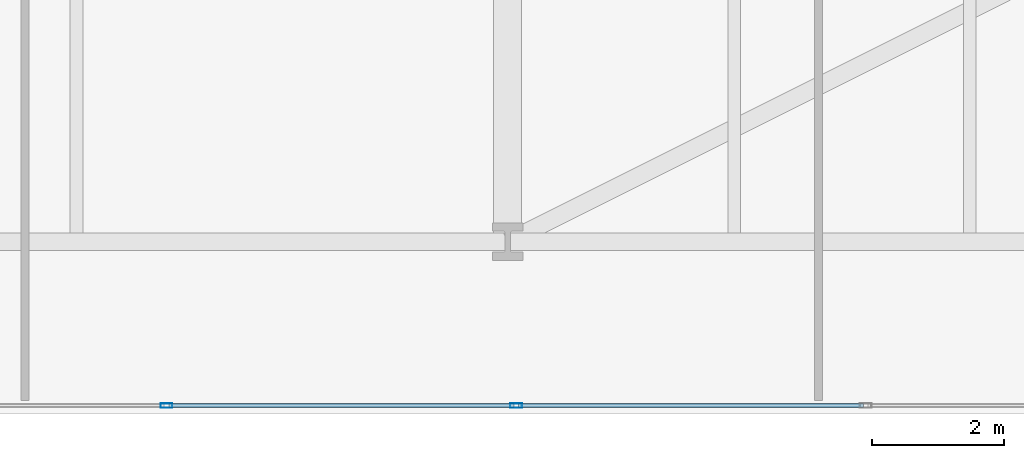
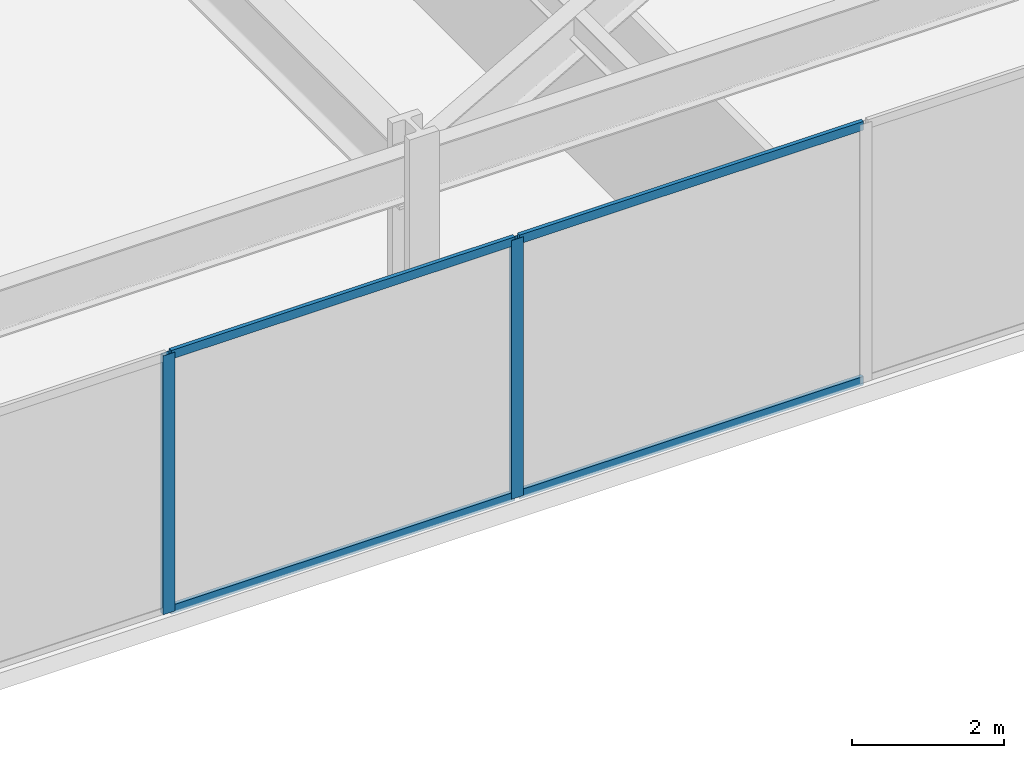
# One storey, part 14 of 30: 6 members, 1 element without a shape of its own.
"""IFC4 building model written with IfcOpenShell, lengths in metres."""

from ifc_helpers import new_model, si_unit, direction, frame, origin, origin_2d, place, context, subcontext, project, spatial, hollow_rectangle, extrude, material, layer, layer_set, material_profile, profile_set, type_object, element, aggregate, save


model = new_model("IFC4")

# Units and contexts
model_context = context("Model", 3, precision=1e-05, world=origin(), true_north=direction((0.0, 1.0)))
body_context = subcontext(model_context, "Body", "Model", "MODEL_VIEW")
ifc_project = project(units=[si_unit("LENGTHUNIT", "METRE"), si_unit("AREAUNIT", "SQUARE_METRE"), si_unit("VOLUMEUNIT", "CUBIC_METRE"), si_unit("PLANEANGLEUNIT", "RADIAN"), si_unit("MASSUNIT", "GRAM", prefix="KILO")], contexts=[model_context])

# Site, building, storey
site_placement = place(None, origin())
site = spatial("IfcSite", under=ifc_project, at=site_placement, CompositionType="ELEMENT")
building_placement = place(site_placement, origin())
building = spatial("IfcBuilding", under=site, at=building_placement, Name="Kravanh Interchange Tower", CompositionType="ELEMENT")
storey_placement = place(building_placement, frame((0.0, 0.0, 19.800048828125)))
storey = spatial("IfcBuildingStorey", under=building, at=storey_placement, Name="L04", CompositionType="ELEMENT", Elevation=19.800048828125)

# Curtain wall, members
ifc_material_1 = material(Name="Anodised Bronze Aluminium", Category="aluminium")
ifc_layer = layer(ifc_material_1, 0.179931640625)
ifc_layer_set = layer_set([ifc_layer], Name="Unitised Curtain Wall System CW-POD Podium Concourse")
curtain_wall_type = type_object("IfcCurtainWallType", Name="Unitised Curtain Wall System CW-POD Podium Concourse", PredefinedType="NOTDEFINED", material=ifc_layer_set)
curtain_wall_placement = place(storey_placement, origin())
curtain_wall = element("IfcCurtainWall", 1, at=curtain_wall_placement, inside=storey, type_object=curtain_wall_type, Name="L04 Unitised Curtain Wall CW-L04-04", PredefinedType="NOTDEFINED")
ifc_material_2 = material(Name="Anodised Bronze Aluminium", Category="aluminium")
ifc_material_profile_1 = material_profile(ifc_material_2, hollow_rectangle(XDim=0.070068359375, YDim=0.179931640625, WallThickness=0.00390625, at=origin_2d()), Name="ALU70X180X4")
ifc_profile_set_1 = profile_set([ifc_material_profile_1], Name="Anodised Bronze Aluminium")
member_type_1 = type_object("IfcMemberType", Name="Curtain Wall Mullion ALU70X180X4 Bronze", PredefinedType="MULLION", material=ifc_profile_set_1)
member_1_placement = place(storey_placement, frame((44.927001953125, 0.1201171875, 0.0), z_axis=(0.0, 0.0, 1.0), x_axis=(0.0, -1.0, 0.0)))
member_1 = element("IfcMember", 2, at=member_1_placement, type_object=member_type_1, Name="CW-POD mullion 6", PredefinedType="MULLION", context=body_context, shape_type="SweptSolid", body=[
    extrude(hollow_rectangle(XDim=0.070068359375, YDim=0.179931640625, WallThickness=0.00390625, at=origin_2d()), origin(), (0.0, 0.0, 1.0), 4.14990234375),
])
member_2_placement = place(storey_placement, frame((39.642333984375, 0.1201171875, 0.0), z_axis=(0.0, 0.0, 1.0), x_axis=(0.0, -1.0, 0.0)))
member_2 = element("IfcMember", 3, at=member_2_placement, type_object=member_type_1, Name="CW-POD mullion 7", PredefinedType="MULLION", context=body_context, shape_type="SweptSolid", body=[
    extrude(hollow_rectangle(XDim=0.070068359375, YDim=0.179931640625, WallThickness=0.00390625, at=origin_2d()), origin(), (0.0, 0.0, 1.0), 4.14990234375),
])
ifc_material_3 = material(Name="Anodised Bronze Aluminium", Category="aluminium")
ifc_material_profile_2 = material_profile(ifc_material_3, hollow_rectangle(XDim=0.06005859375, YDim=0.139892578125, WallThickness=0.00390625, at=origin_2d()), Name="ALU60X140X4")
ifc_profile_set_2 = profile_set([ifc_material_profile_2], Name="Anodised Bronze Aluminium")
member_type_2 = type_object("IfcMemberType", Name="Curtain Wall Transom ALU60X140X4 Bronze", PredefinedType="USERDEFINED", material=ifc_profile_set_2)
member_3_placement = place(storey_placement, frame((50.1767578125, 0.1201171875, 0.030029296875), z_axis=(-1.0, 0.0, 0.0), x_axis=(0.0, -1.0, 0.0)))
member_3 = element("IfcMember", 4, at=member_3_placement, type_object=member_type_2, Name="CW-POD transom 5.1", ObjectType="TRANSOM", PredefinedType="USERDEFINED", context=body_context, shape_type="SweptSolid", body=[
    extrude(hollow_rectangle(XDim=0.06005859375, YDim=0.139892578125, WallThickness=0.00390625, at=origin_2d()), origin(), (0.0, 0.0, 1.0), 5.21484375),
])
member_4_placement = place(storey_placement, frame((50.1767578125, 0.1201171875, 4.119873046875), z_axis=(-1.0, 0.0, 0.0), x_axis=(0.0, -1.0, 0.0)))
member_4 = element("IfcMember", 5, at=member_4_placement, type_object=member_type_2, Name="CW-POD transom 5.2", ObjectType="TRANSOM", PredefinedType="USERDEFINED", context=body_context, shape_type="SweptSolid", body=[
    extrude(hollow_rectangle(XDim=0.06005859375, YDim=0.139892578125, WallThickness=0.00390625, at=origin_2d()), origin(), (0.0, 0.0, 1.0), 5.21484375),
])
member_5_placement = place(storey_placement, frame((44.89208984375, 0.1201171875, 0.030029296875), z_axis=(-1.0, 0.0, 0.0), x_axis=(0.0, -1.0, 0.0)))
member_5 = element("IfcMember", 6, at=member_5_placement, type_object=member_type_2, Name="CW-POD transom 6.1", ObjectType="TRANSOM", PredefinedType="USERDEFINED", context=body_context, shape_type="SweptSolid", body=[
    extrude(hollow_rectangle(XDim=0.06005859375, YDim=0.139892578125, WallThickness=0.00390625, at=origin_2d()), origin(), (0.0, 0.0, 1.0), 5.21484375),
])
member_6_placement = place(storey_placement, frame((44.89208984375, 0.1201171875, 4.119873046875), z_axis=(-1.0, 0.0, 0.0), x_axis=(0.0, -1.0, 0.0)))
member_6 = element("IfcMember", 7, at=member_6_placement, type_object=member_type_2, Name="CW-POD transom 6.2", ObjectType="TRANSOM", PredefinedType="USERDEFINED", context=body_context, shape_type="SweptSolid", body=[
    extrude(hollow_rectangle(XDim=0.06005859375, YDim=0.139892578125, WallThickness=0.00390625, at=origin_2d()), origin(), (0.0, 0.0, 1.0), 5.21484375),
])
aggregate(curtain_wall, [member_1, member_2, member_3, member_4, member_5, member_6])

save(model, "model.ifc")
